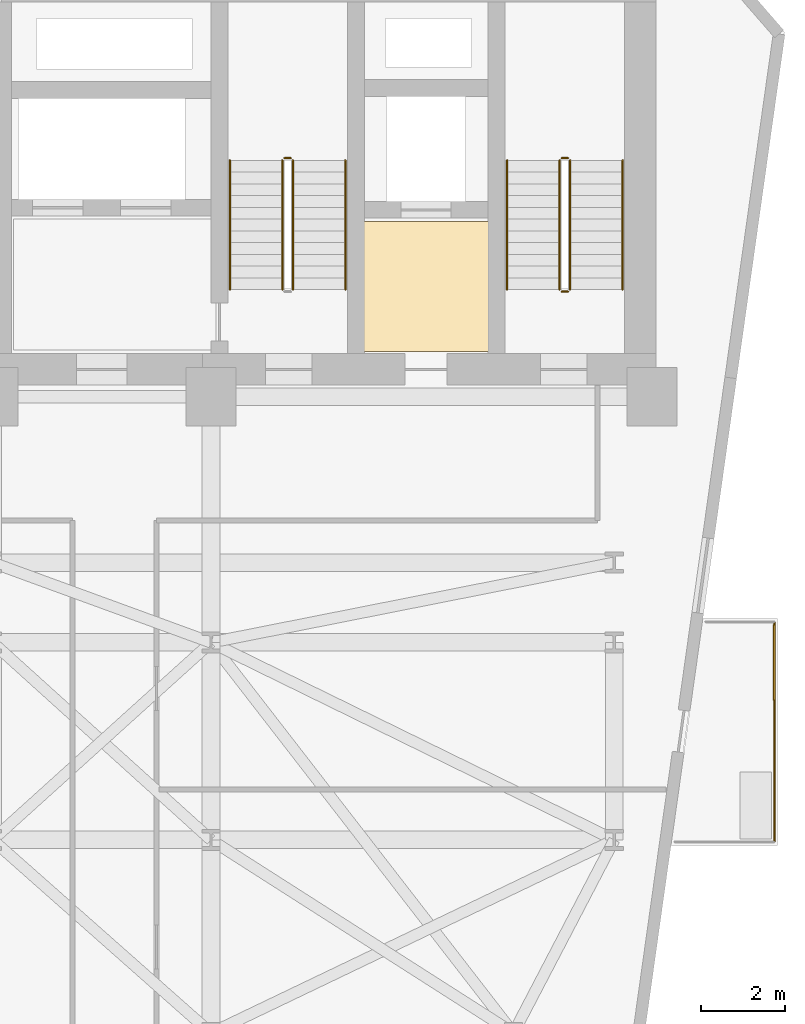
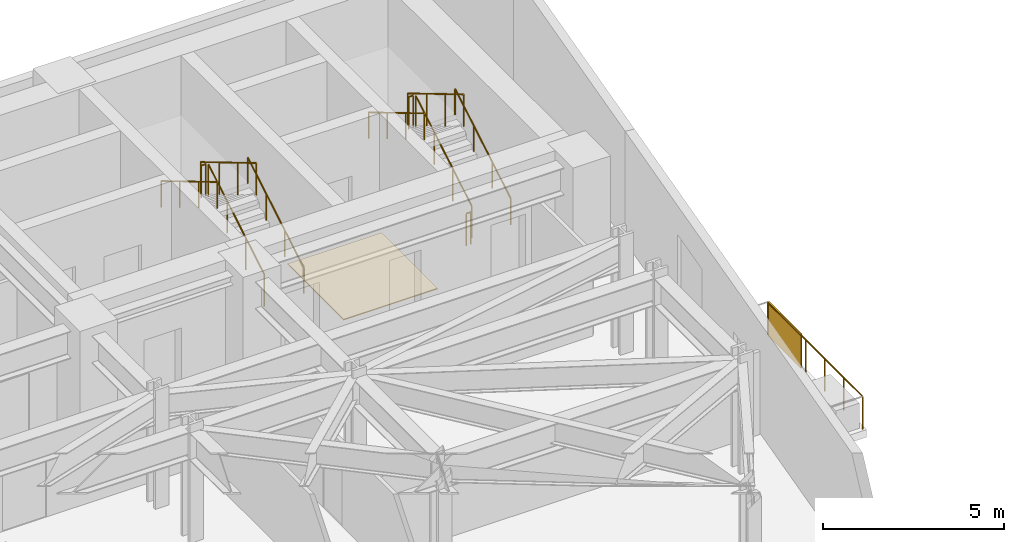
# One storey, part 25 of 25: 12 railings, 1 covering, 1 shading device.
"""IFC4 building model written with IfcOpenShell, lengths in metres."""

from ifc_helpers import new_model, si_unit, direction, frame, origin, origin_2d, place, context, subcontext, project, spatial, polyline, rectangle, circle, outline, extrude, material, layer, layer_set, type_object, element, save


model = new_model("IFC4")

# Units and contexts
model_context = context("Model", 3, precision=1e-05, world=origin(), true_north=direction((0.0, 1.0)))
body_context = subcontext(model_context, "Body", "Model", "MODEL_VIEW")
ifc_project = project(units=[si_unit("LENGTHUNIT", "METRE"), si_unit("AREAUNIT", "SQUARE_METRE"), si_unit("VOLUMEUNIT", "CUBIC_METRE"), si_unit("PLANEANGLEUNIT", "RADIAN"), si_unit("MASSUNIT", "GRAM", prefix="KILO")], contexts=[model_context])

# Site, building, storey
site_placement = place(None, origin())
site = spatial("IfcSite", under=ifc_project, at=site_placement, CompositionType="ELEMENT")
building_placement = place(site_placement, origin())
building = spatial("IfcBuilding", under=site, at=building_placement, Name="Kravanh Interchange Tower", CompositionType="ELEMENT")
storey_placement = place(building_placement, frame((0.0, 0.0, 81.5)))
storey = spatial("IfcBuildingStorey", under=building, at=storey_placement, Name="L19", CompositionType="ELEMENT", Elevation=81.5)

# Covering
ifc_material_1 = material(Name="Cementitious Terrazzo Tile")
ifc_layer_1 = layer(ifc_material_1, 0.030029296875)
ifc_layer_set_1 = layer_set([ifc_layer_1], Name="Honed Terrazzo Lobby Flooring 30mm")
covering_type = type_object("IfcCoveringType", Name="Honed Terrazzo Lobby Flooring 30mm", PredefinedType="FLOORING", material=ifc_layer_set_1)
covering_placement = place(storey_placement, origin())
element("IfcCovering", 1, at=covering_placement, inside=storey, type_object=covering_type, Name="L19 Service Lift Lobby Floor Finish", PredefinedType="FLOORING", context=body_context, shape_type="SweptSolid", body=[
    extrude(outline(polyline([(59.6298828125, 41.52001953125), (62.6201171875, 41.52001953125), (62.6201171875, 38.429931640625), (59.6298828125, 38.429931640625), (59.6298828125, 41.52001953125)])), origin(), (0.0, 0.0, 1.0), 0.030029296875),
])

# Shading device
ifc_material_2 = material(Name="Perforated Anodised Bronze Aluminium", Category="aluminium")
ifc_layer_2 = layer(ifc_material_2, 0.0400390625)
ifc_layer_set_2 = layer_set([ifc_layer_2], Name="Perforated Bronze Balcony Privacy Screen 1150mm")
shading_device_type = type_object("IfcShadingDeviceType", Name="Perforated Bronze Balcony Privacy Screen 1150mm", PredefinedType="USERDEFINED", material=ifc_layer_set_2)
shading_device_placement = place(storey_placement, frame((69.409912109375, 31.02001953125, 0.0), z_axis=(0.0, 0.0, 1.0), x_axis=(1.0, 0.0, 0.0)))
element("IfcShadingDevice", 2, at=shading_device_placement, inside=storey, type_object=shading_device_type, Name="L19 E Perforated Bronze BALCONY SCREEN", ObjectType="SCREEN", PredefinedType="USERDEFINED", context=body_context, shape_type="SweptSolid", body=[
    extrude(rectangle(XDim=0.0400390625, YDim=1.800048828125, at=origin_2d()), origin(), (0.0, 0.0, 1.0), 1.14990234375),
])

# Railings
ifc_material_3 = material(Name="Stainless Steel 316", Category="steel")
ifc_layer_3 = layer(ifc_material_3, 0.06005859375)
ifc_layer_set_3 = layer_set([ifc_layer_3], Name="Perimeter Balcony and Terrace Guardrail Stainless 316 1120mm")
railing_type_1 = type_object("IfcRailingType", Name="Perimeter Balcony and Terrace Guardrail Stainless 316 1120mm", PredefinedType="GUARDRAIL", material=ifc_layer_set_3)
railing_1_placement = place(storey_placement, frame((69.409912109375, 31.989990234375, 0.0)))
element("IfcRailing", 3, at=railing_1_placement, inside=storey, type_object=railing_type_1, Name="L19 E Balcony Guardrail 1", PredefinedType="GUARDRAIL", context=body_context, shape_type="SweptSolid", body=[
    extrude(circle(Radius=0.02392578125, at=origin_2d()), frame((0.0, 0.0, 1.09619140625), z_axis=(0.0, -1.0, 0.0), x_axis=(1.0, 0.0, 0.0)), (0.0, 0.0, 1.0), 5.239990234375),
    extrude(circle(Radius=0.02099609375, at=origin_2d()), origin(), (0.0, 0.0, 1.0), 1.072021484375),
    extrude(circle(Radius=0.02099609375, at=origin_2d()), frame((0.0, -1.048095703125, 0.0)), (0.0, 0.0, 1.0), 1.072021484375),
    extrude(circle(Radius=0.02099609375, at=origin_2d()), frame((0.0, -2.095947265625, 0.0)), (0.0, 0.0, 1.0), 1.072021484375),
    extrude(circle(Radius=0.02099609375, at=origin_2d()), frame((0.0, -3.14404296875, 0.0)), (0.0, 0.0, 1.0), 1.072021484375),
    extrude(circle(Radius=0.02099609375, at=origin_2d()), frame((0.0, -4.19189453125, 0.0)), (0.0, 0.0, 1.0), 1.072021484375),
    extrude(circle(Radius=0.02099609375, at=origin_2d()), frame((0.0, -5.239990234375, 0.0)), (0.0, 0.0, 1.0), 1.072021484375),
])
ifc_material_4 = material(Name="Structural Steel S355", Category="steel")
ifc_layer_4 = layer(ifc_material_4, 0.050048828125)
ifc_layer_set_4 = layer_set([ifc_layer_4], Name="Stair Well Guardrail Structural Steel S355 1100mm")
railing_type_2 = type_object("IfcRailingType", Name="Stair Well Guardrail Structural Steel S355 1100mm", PredefinedType="GUARDRAIL", material=ifc_layer_set_4)
railing_2_placement = place(storey_placement, frame((64.550048828125, 39.89990234375, 0.166748046875)))
element("IfcRailing", 4, at=railing_2_placement, inside=storey, type_object=railing_type_2, Name="L19 ST1 stair guard 1", PredefinedType="GUARDRAIL", context=body_context, shape_type="SweptSolid", body=[
    extrude(circle(Radius=0.02392578125, at=origin_2d()), frame((0.0, 0.0, 1.076171875), z_axis=(0.0, 0.859308565015, 0.511457515432), x_axis=(-1.0, 0.0, 0.0)), (0.0, 0.0, 1.0), 3.58447265625),
    extrude(circle(Radius=0.02099609375, at=origin_2d()), origin(), (0.0, 0.0, 1.0), 1.052001953125),
    extrude(circle(Radius=0.02099609375, at=origin_2d()), frame((0.0, 1.026611328125, 0.611083984375)), (0.0, 0.0, 1.0), 1.052001953125),
    extrude(circle(Radius=0.02099609375, at=origin_2d()), frame((0.0, 2.053466796875, 1.22216796875)), (0.0, 0.0, 1.0), 1.052001953125),
    extrude(circle(Radius=0.02099609375, at=origin_2d()), frame((0.0, 3.080078125, 1.833251953125)), (0.0, 0.0, 1.0), 1.052001953125),
])
railing_3_placement = place(storey_placement, frame((64.5, 43.030029296875, 2.0)))
element("IfcRailing", 5, at=railing_3_placement, inside=storey, type_object=railing_type_2, Name="L19 ST1 stair guard 2", PredefinedType="GUARDRAIL", context=body_context, shape_type="SweptSolid", body=[
    extrude(circle(Radius=0.02392578125, at=origin_2d()), frame((0.0, 0.0, 1.076171875), z_axis=(-1.0, 0.0, 0.0), x_axis=(0.0, -1.0, 0.0)), (0.0, 0.0, 1.0), 0.14990234375),
    extrude(circle(Radius=0.02099609375, at=origin_2d()), origin(), (0.0, 0.0, 1.0), 1.052001953125),
    extrude(circle(Radius=0.02099609375, at=origin_2d()), frame((-0.14990234375, 0.0, 0.0)), (0.0, 0.0, 1.0), 1.052001953125),
])
railing_4_placement = place(storey_placement, frame((64.300048828125, 42.97998046875, 2.166748046875)))
element("IfcRailing", 6, at=railing_4_placement, inside=storey, type_object=railing_type_2, Name="L19 ST1 stair guard 3", PredefinedType="GUARDRAIL", context=body_context, shape_type="SweptSolid", body=[
    extrude(circle(Radius=0.02392578125, at=origin_2d()), frame((0.0, 0.0, 1.076171875), z_axis=(0.0, -0.859308565015, 0.511457515432), x_axis=(1.0, 0.0, 0.0)), (0.0, 0.0, 1.0), 3.58447265625),
    extrude(circle(Radius=0.02099609375, at=origin_2d()), origin(), (0.0, 0.0, 1.0), 1.052001953125),
    extrude(circle(Radius=0.02099609375, at=origin_2d()), frame((0.0, -1.026611328125, 0.611083984375)), (0.0, 0.0, 1.0), 1.052001953125),
    extrude(circle(Radius=0.02099609375, at=origin_2d()), frame((0.0, -2.053466796875, 1.22216796875)), (0.0, 0.0, 1.0), 1.052001953125),
    extrude(circle(Radius=0.02099609375, at=origin_2d()), frame((0.0, -3.080078125, 1.833251953125)), (0.0, 0.0, 1.0), 1.052001953125),
])
railing_5_placement = place(storey_placement, frame((64.5, 39.85009765625, 0.0)))
element("IfcRailing", 7, at=railing_5_placement, inside=storey, type_object=railing_type_2, Name="L19 ST1 stair guard 4", PredefinedType="GUARDRAIL", context=body_context, shape_type="SweptSolid", body=[
    extrude(circle(Radius=0.02392578125, at=origin_2d()), frame((0.0, 0.0, 1.076171875), z_axis=(-1.0, 0.0, 0.0), x_axis=(0.0, -1.0, 0.0)), (0.0, 0.0, 1.0), 0.14990234375),
    extrude(circle(Radius=0.02099609375, at=origin_2d()), origin(), (0.0, 0.0, 1.0), 1.052001953125),
    extrude(circle(Radius=0.02099609375, at=origin_2d()), frame((-0.14990234375, 0.0, 0.0)), (0.0, 0.0, 1.0), 1.052001953125),
])
railing_6_placement = place(storey_placement, frame((57.949951171875, 39.89990234375, 0.166748046875)))
element("IfcRailing", 8, at=railing_6_placement, inside=storey, type_object=railing_type_2, Name="L19 ST2 stair guard 1", PredefinedType="GUARDRAIL", context=body_context, shape_type="SweptSolid", body=[
    extrude(circle(Radius=0.02392578125, at=origin_2d()), frame((0.0, 0.0, 1.076171875), z_axis=(0.0, 0.859308565015, 0.511457515432), x_axis=(-1.0, 0.0, 0.0)), (0.0, 0.0, 1.0), 3.58447265625),
    extrude(circle(Radius=0.02099609375, at=origin_2d()), origin(), (0.0, 0.0, 1.0), 1.052001953125),
    extrude(circle(Radius=0.02099609375, at=origin_2d()), frame((0.0, 1.026611328125, 0.611083984375)), (0.0, 0.0, 1.0), 1.052001953125),
    extrude(circle(Radius=0.02099609375, at=origin_2d()), frame((0.0, 2.053466796875, 1.22216796875)), (0.0, 0.0, 1.0), 1.052001953125),
    extrude(circle(Radius=0.02099609375, at=origin_2d()), frame((0.0, 3.080078125, 1.833251953125)), (0.0, 0.0, 1.0), 1.052001953125),
])
railing_7_placement = place(storey_placement, frame((57.89990234375, 43.030029296875, 2.0)))
element("IfcRailing", 9, at=railing_7_placement, inside=storey, type_object=railing_type_2, Name="L19 ST2 stair guard 2", PredefinedType="GUARDRAIL", context=body_context, shape_type="SweptSolid", body=[
    extrude(circle(Radius=0.02392578125, at=origin_2d()), frame((0.0, 0.0, 1.076171875), z_axis=(-1.0, 0.0, 0.0), x_axis=(0.0, -1.0, 0.0)), (0.0, 0.0, 1.0), 0.14990234375),
    extrude(circle(Radius=0.02099609375, at=origin_2d()), origin(), (0.0, 0.0, 1.0), 1.052001953125),
    extrude(circle(Radius=0.02099609375, at=origin_2d()), frame((-0.14990234375, 0.0, 0.0)), (0.0, 0.0, 1.0), 1.052001953125),
])
railing_8_placement = place(storey_placement, frame((57.699951171875, 42.97998046875, 2.166748046875)))
element("IfcRailing", 10, at=railing_8_placement, inside=storey, type_object=railing_type_2, Name="L19 ST2 stair guard 3", PredefinedType="GUARDRAIL", context=body_context, shape_type="SweptSolid", body=[
    extrude(circle(Radius=0.02392578125, at=origin_2d()), frame((0.0, 0.0, 1.076171875), z_axis=(0.0, -0.859308565015, 0.511457515432), x_axis=(1.0, 0.0, 0.0)), (0.0, 0.0, 1.0), 3.58447265625),
    extrude(circle(Radius=0.02099609375, at=origin_2d()), origin(), (0.0, 0.0, 1.0), 1.052001953125),
    extrude(circle(Radius=0.02099609375, at=origin_2d()), frame((0.0, -1.026611328125, 0.611083984375)), (0.0, 0.0, 1.0), 1.052001953125),
    extrude(circle(Radius=0.02099609375, at=origin_2d()), frame((0.0, -2.053466796875, 1.22216796875)), (0.0, 0.0, 1.0), 1.052001953125),
    extrude(circle(Radius=0.02099609375, at=origin_2d()), frame((0.0, -3.080078125, 1.833251953125)), (0.0, 0.0, 1.0), 1.052001953125),
])
ifc_material_5 = material(Name="Stainless Steel 304", Category="steel")
ifc_layer_5 = layer(ifc_material_5, 0.044921875)
ifc_layer_set_5 = layer_set([ifc_layer_5], Name="Tubular Stair Handrail Stainless 304 900mm")
railing_type_3 = type_object("IfcRailingType", Name="Tubular Stair Handrail Stainless 304 900mm", PredefinedType="HANDRAIL", material=ifc_layer_set_5)
railing_9_placement = place(storey_placement, frame((65.800048828125, 39.89990234375, 0.166748046875)))
element("IfcRailing", 11, at=railing_9_placement, inside=storey, type_object=railing_type_3, Name="L19 ST1 stair handrail 1", PredefinedType="HANDRAIL", context=body_context, shape_type="SweptSolid", body=[
    extrude(circle(Radius=0.02392578125, at=origin_2d()), frame((0.0, 0.0, 0.8759765625), z_axis=(0.0, 0.859308565015, 0.511457515432), x_axis=(-1.0, 0.0, 0.0)), (0.0, 0.0, 1.0), 3.58447265625),
    extrude(circle(Radius=0.02099609375, at=origin_2d()), origin(), (0.0, 0.0, 1.0), 0.851806640625),
    extrude(circle(Radius=0.02099609375, at=origin_2d()), frame((0.0, 1.026611328125, 0.611083984375)), (0.0, 0.0, 1.0), 0.851806640625),
    extrude(circle(Radius=0.02099609375, at=origin_2d()), frame((0.0, 2.053466796875, 1.22216796875)), (0.0, 0.0, 1.0), 0.851806640625),
    extrude(circle(Radius=0.02099609375, at=origin_2d()), frame((0.0, 3.080078125, 1.833251953125)), (0.0, 0.0, 1.0), 0.851806640625),
])
railing_10_placement = place(storey_placement, frame((63.050048828125, 42.97998046875, 2.166748046875)))
element("IfcRailing", 12, at=railing_10_placement, inside=storey, type_object=railing_type_3, Name="L19 ST1 stair handrail 2", PredefinedType="HANDRAIL", context=body_context, shape_type="SweptSolid", body=[
    extrude(circle(Radius=0.02392578125, at=origin_2d()), frame((0.0, 0.0, 0.8759765625), z_axis=(0.0, -0.859308565015, 0.511457515432), x_axis=(1.0, 0.0, 0.0)), (0.0, 0.0, 1.0), 3.58447265625),
    extrude(circle(Radius=0.02099609375, at=origin_2d()), origin(), (0.0, 0.0, 1.0), 0.851806640625),
    extrude(circle(Radius=0.02099609375, at=origin_2d()), frame((0.0, -1.026611328125, 0.611083984375)), (0.0, 0.0, 1.0), 0.851806640625),
    extrude(circle(Radius=0.02099609375, at=origin_2d()), frame((0.0, -2.053466796875, 1.22216796875)), (0.0, 0.0, 1.0), 0.851806640625),
    extrude(circle(Radius=0.02099609375, at=origin_2d()), frame((0.0, -3.080078125, 1.833251953125)), (0.0, 0.0, 1.0), 0.851806640625),
])
railing_11_placement = place(storey_placement, frame((59.199951171875, 39.89990234375, 0.166748046875)))
element("IfcRailing", 13, at=railing_11_placement, inside=storey, type_object=railing_type_3, Name="L19 ST2 stair handrail 1", PredefinedType="HANDRAIL", context=body_context, shape_type="SweptSolid", body=[
    extrude(circle(Radius=0.02392578125, at=origin_2d()), frame((0.0, 0.0, 0.8759765625), z_axis=(0.0, 0.859308565015, 0.511457515432), x_axis=(-1.0, 0.0, 0.0)), (0.0, 0.0, 1.0), 3.58447265625),
    extrude(circle(Radius=0.02099609375, at=origin_2d()), origin(), (0.0, 0.0, 1.0), 0.851806640625),
    extrude(circle(Radius=0.02099609375, at=origin_2d()), frame((0.0, 1.026611328125, 0.611083984375)), (0.0, 0.0, 1.0), 0.851806640625),
    extrude(circle(Radius=0.02099609375, at=origin_2d()), frame((0.0, 2.053466796875, 1.22216796875)), (0.0, 0.0, 1.0), 0.851806640625),
    extrude(circle(Radius=0.02099609375, at=origin_2d()), frame((0.0, 3.080078125, 1.833251953125)), (0.0, 0.0, 1.0), 0.851806640625),
])
railing_12_placement = place(storey_placement, frame((56.449951171875, 42.97998046875, 2.166748046875)))
element("IfcRailing", 14, at=railing_12_placement, inside=storey, type_object=railing_type_3, Name="L19 ST2 stair handrail 2", PredefinedType="HANDRAIL", context=body_context, shape_type="SweptSolid", body=[
    extrude(circle(Radius=0.02392578125, at=origin_2d()), frame((0.0, 0.0, 0.8759765625), z_axis=(0.0, -0.859308565015, 0.511457515432), x_axis=(1.0, 0.0, 0.0)), (0.0, 0.0, 1.0), 3.58447265625),
    extrude(circle(Radius=0.02099609375, at=origin_2d()), origin(), (0.0, 0.0, 1.0), 0.851806640625),
    extrude(circle(Radius=0.02099609375, at=origin_2d()), frame((0.0, -1.026611328125, 0.611083984375)), (0.0, 0.0, 1.0), 0.851806640625),
    extrude(circle(Radius=0.02099609375, at=origin_2d()), frame((0.0, -2.053466796875, 1.22216796875)), (0.0, 0.0, 1.0), 0.851806640625),
    extrude(circle(Radius=0.02099609375, at=origin_2d()), frame((0.0, -3.080078125, 1.833251953125)), (0.0, 0.0, 1.0), 0.851806640625),
])

save(model, "model.ifc")
